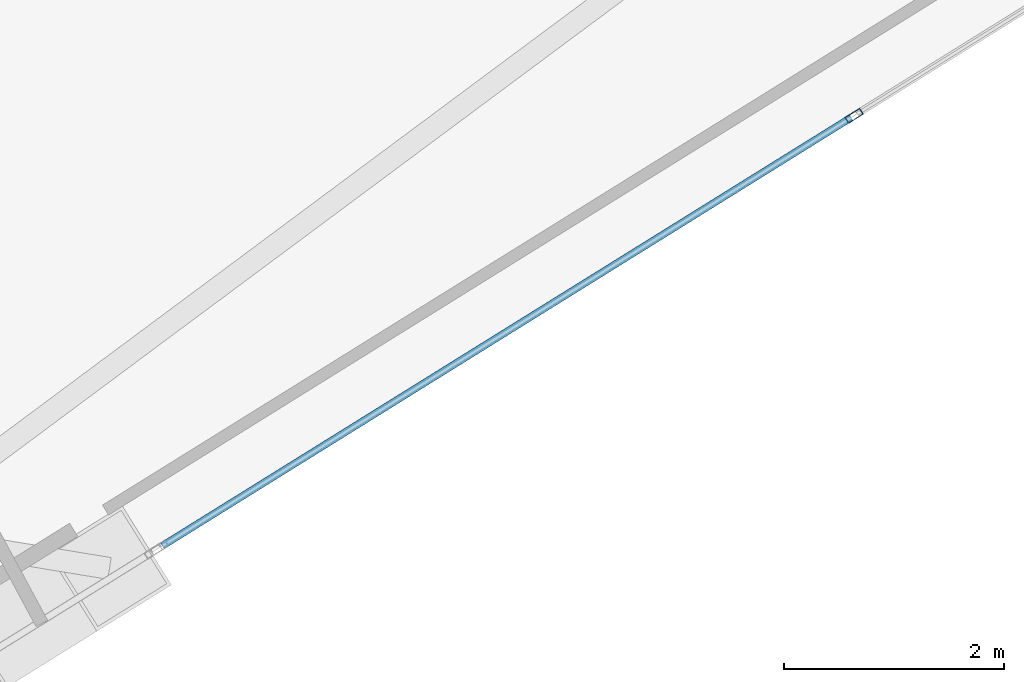
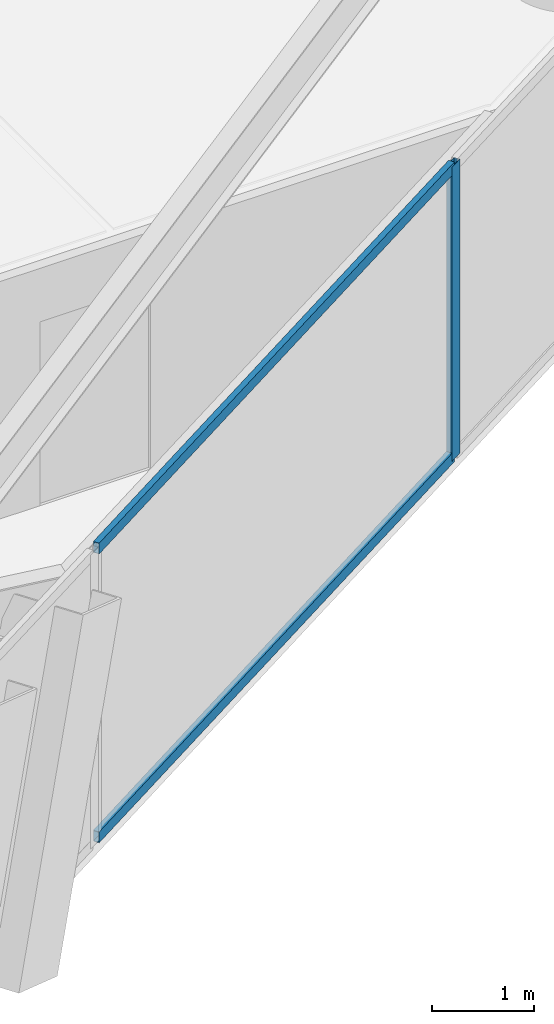
# One storey, part 7 of 22: 3 members, 1 element without a shape of its own.
"""IFC4 building model written with IfcOpenShell, lengths in metres."""

from ifc_helpers import new_model, si_unit, direction, frame, origin, origin_2d, place, context, subcontext, project, spatial, hollow_rectangle, extrude, material, layer, layer_set, material_profile, profile_set, type_object, element, aggregate, save


model = new_model("IFC4")

# Units and contexts
model_context = context("Model", 3, precision=1e-05, world=origin(), true_north=direction((0.0, 1.0)))
body_context = subcontext(model_context, "Body", "Model", "MODEL_VIEW")
ifc_project = project(units=[si_unit("LENGTHUNIT", "METRE"), si_unit("AREAUNIT", "SQUARE_METRE"), si_unit("VOLUMEUNIT", "CUBIC_METRE"), si_unit("PLANEANGLEUNIT", "RADIAN"), si_unit("MASSUNIT", "GRAM", prefix="KILO")], contexts=[model_context])

# Site, building, storey
site_placement = place(None, origin())
site = spatial("IfcSite", under=ifc_project, at=site_placement, CompositionType="ELEMENT")
building_placement = place(site_placement, origin())
building = spatial("IfcBuilding", under=site, at=building_placement, Name="Qianvela Tower", CompositionType="ELEMENT")
storey_placement = place(building_placement, frame((0.0, 0.0, 177.199951171875)))
storey = spatial("IfcBuildingStorey", under=building, at=storey_placement, Name="L45", CompositionType="ELEMENT", Elevation=177.199951171875)

# Curtain wall, members
ifc_material_1 = material(Name="Anodised Architectural Aluminium and Low-E Glass", Category="aluminium")
ifc_layer = layer(ifc_material_1, 0.169921875)
ifc_layer_set = layer_set([ifc_layer], Name="Anodised Architectural Aluminium and Low-E Glass")
curtain_wall_type = type_object("IfcCurtainWallType", Name="CW-COLIV-Z34", PredefinedType="USERDEFINED", material=ifc_layer_set)
curtain_wall_placement = place(storey_placement, origin())
curtain_wall = element("IfcCurtainWall", 1, at=curtain_wall_placement, inside=storey, type_object=curtain_wall_type, Name="L45 CW-COLIV-Z34 Curtain Wall 06C", ObjectType="CURTAIN_WALL_SYSTEM", PredefinedType="USERDEFINED")
ifc_material_2 = material(Name="Anodised Architectural Aluminium 6063-T6", Category="aluminium")
ifc_material_profile_1 = material_profile(ifc_material_2, hollow_rectangle(XDim=0.06494140625, YDim=0.159912109375, WallThickness=0.0048828125, at=origin_2d()), Name="ALU-MULL-65x160")
ifc_profile_set_1 = profile_set([ifc_material_profile_1], Name="Anodised Architectural Aluminium 6063-T6")
member_type_1 = type_object("IfcMemberType", Name="CW-COLIV-Z34-MULL", PredefinedType="MULLION", material=ifc_profile_set_1)
member_1_placement = place(storey_placement, frame((52.318603515625, 21.0732421875, 0.0), z_axis=(0.0, 0.0, 1.0), x_axis=(-0.528037643852, 0.849220964576, 0.0)))
member_1 = element("IfcMember", 2, at=member_1_placement, type_object=member_type_1, Name="CW-4 mullion 2", PredefinedType="MULLION", context=body_context, shape_type="SweptSolid", body=[
    extrude(hollow_rectangle(XDim=0.06494140625, YDim=0.159912109375, WallThickness=0.0048828125, at=origin_2d()), origin(), (0.0, 0.0, 1.0), 3.52001953125),
])
ifc_material_3 = material(Name="Anodised Architectural Aluminium 6063-T6", Category="aluminium")
ifc_material_profile_2 = material_profile(ifc_material_3, hollow_rectangle(XDim=0.06494140625, YDim=0.1298828125, WallThickness=0.00439453125, at=origin_2d()), Name="ALU-TRAN-65x130")
ifc_profile_set_2 = profile_set([ifc_material_profile_2], Name="Anodised Architectural Aluminium 6063-T6")
member_type_2 = type_object("IfcMemberType", Name="CW-COLIV-Z34-TRAN", PredefinedType="USERDEFINED", material=ifc_profile_set_2)
member_2_placement = place(storey_placement, frame((46.017333984375, 17.1552734375, 0.032470703125), z_axis=(0.849223246413, 0.528033974051, 0.0), x_axis=(-0.528033974051, 0.849223246413, 0.0)))
member_2 = element("IfcMember", 3, at=member_2_placement, type_object=member_type_2, Name="CW-4 transom 1.1", ObjectType="TRANSOM", PredefinedType="USERDEFINED", context=body_context, shape_type="SweptSolid", body=[
    extrude(hollow_rectangle(XDim=0.06494140625, YDim=0.1298828125, WallThickness=0.00439453125, at=origin_2d()), origin(), (0.0, 0.0, 1.0), 7.387451171875),
])
member_3_placement = place(storey_placement, frame((46.017333984375, 17.1552734375, 3.487548828125), z_axis=(0.849223246413, 0.528033974051, 0.0), x_axis=(-0.528033974051, 0.849223246413, 0.0)))
member_3 = element("IfcMember", 4, at=member_3_placement, type_object=member_type_2, Name="CW-4 transom 1.2", ObjectType="TRANSOM", PredefinedType="USERDEFINED", context=body_context, shape_type="SweptSolid", body=[
    extrude(hollow_rectangle(XDim=0.06494140625, YDim=0.1298828125, WallThickness=0.00439453125, at=origin_2d()), origin(), (0.0, 0.0, 1.0), 7.387451171875),
])
aggregate(curtain_wall, [member_1, member_2, member_3])

save(model, "model.ifc")
